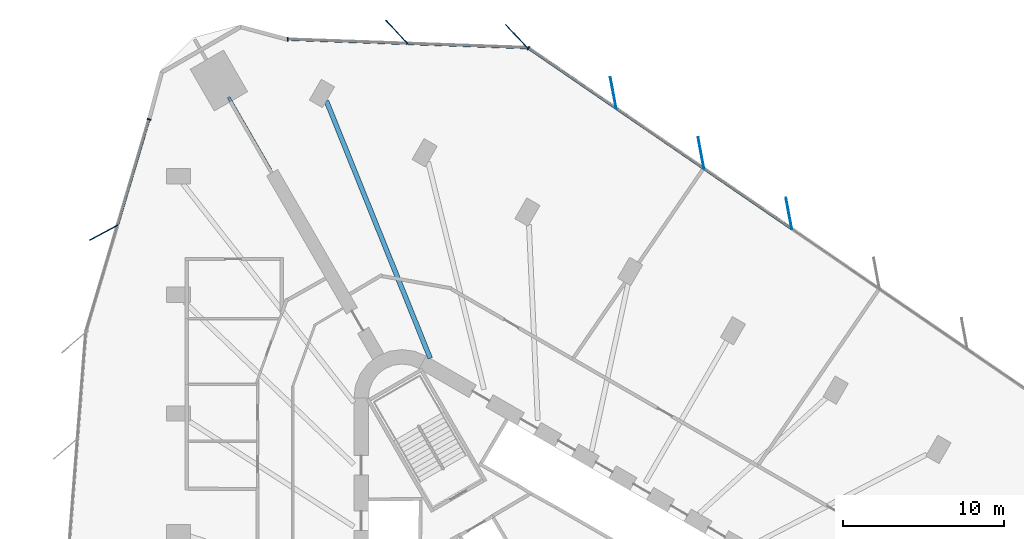
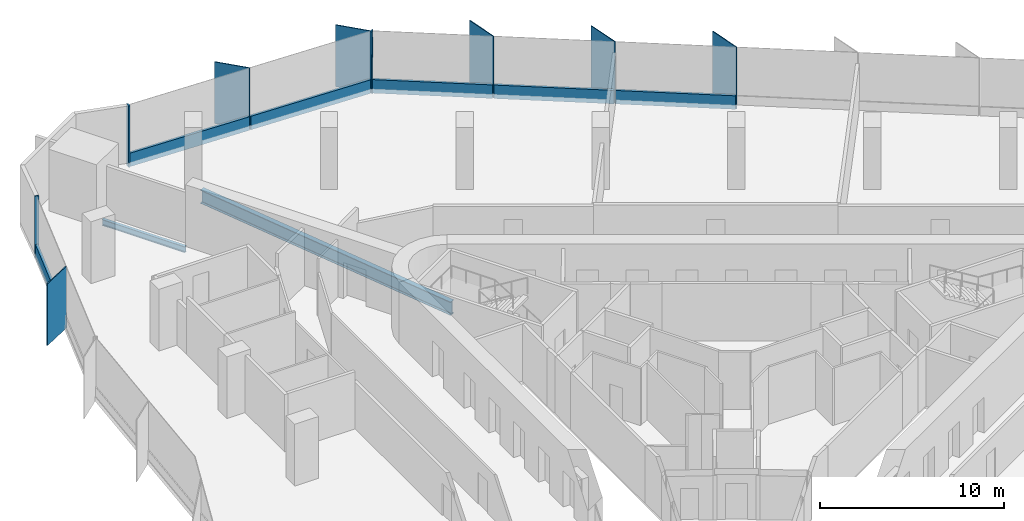
# One storey, part 7 of 15: 15 members, 2 beams, 3 elements without a shape of their own.
"""IFC4 building model written with IfcOpenShell, lengths in metres."""

from ifc_helpers import new_model, si_unit, direction, frame, origin, origin_2d, place, context, subcontext, project, spatial, rectangle, i_section, extrude, material, material_profile, profile_set, type_object, element, aggregate, save


model = new_model("IFC4")

# Units and contexts
model_context = context("Model", 3, precision=1e-05, world=origin(), true_north=direction((0.0, 1.0)))
body_context = subcontext(model_context, "Body", "Model", "MODEL_VIEW")
ifc_project = project(units=[si_unit("LENGTHUNIT", "METRE"), si_unit("AREAUNIT", "SQUARE_METRE"), si_unit("VOLUMEUNIT", "CUBIC_METRE"), si_unit("PLANEANGLEUNIT", "RADIAN"), si_unit("MASSUNIT", "GRAM", prefix="KILO")], contexts=[model_context])

# Site, building, storey
site_placement = place(None, origin())
site = spatial("IfcSite", under=ifc_project, at=site_placement, CompositionType="ELEMENT")
building_placement = place(site_placement, origin())
building = spatial("IfcBuilding", under=site, at=building_placement, Name="Tanit Gate Tower", CompositionType="ELEMENT")
storey_placement = place(building_placement, frame((0.0, 0.0, 94.699951171875)))
storey = spatial("IfcBuildingStorey", under=building, at=storey_placement, Name="L19", CompositionType="ELEMENT", Elevation=94.699951171875)

# Curtain wall, members
ifc_material_1 = material(Name="Aluminium bronze anodised and glass", Category="aluminium")
curtain_wall_type = type_object("IfcCurtainWallType", Name="Curtain wall typical low", PredefinedType="NOTDEFINED", material=ifc_material_1)
curtain_wall_1_placement = place(storey_placement, origin())
curtain_wall_1 = element("IfcCurtainWall", 1, at=curtain_wall_1_placement, inside=storey, type_object=curtain_wall_type, Name="Curtain wall L19 NE2", PredefinedType="NOTDEFINED")
ifc_material_2 = material(Name="Aluminium bronze anodised", Category="aluminium")
ifc_material_profile_1 = material_profile(ifc_material_2, rectangle(XDim=2.0, YDim=0.055908203125, at=origin_2d()), Name="56x2000 bronze fin mullion")
ifc_profile_set_1 = profile_set([ifc_material_profile_1], Name="Aluminium bronze anodised")
member_type_1 = type_object("IfcMemberType", Name="FIN MULLION 56x2000 bronze", PredefinedType="MULLION", material=ifc_profile_set_1)
member_1_placement = place(storey_placement, frame((14.99658203125, 27.24169921875, -0.300048828125), z_axis=(0.0, 0.0, 1.0), x_axis=(0.182847499991, -0.983141287785, 0.0)))
member_1 = element("IfcMember", 2, at=member_1_placement, type_object=member_type_1, Name="Fin mullion L19 NE2.4", PredefinedType="MULLION", context=body_context, shape_type="SweptSolid", body=[
    extrude(rectangle(XDim=2.0, YDim=0.055908203125, at=origin_2d()), origin(), (0.0, 0.0, 1.0), 4.10009765625),
])
member_2_placement = place(storey_placement, frame((9.527099609375, 30.99560546875, -0.300048828125), z_axis=(0.0, 0.0, 1.0), x_axis=(0.182847499991, -0.983141287785, 0.0)))
member_2 = element("IfcMember", 3, at=member_2_placement, type_object=member_type_1, Name="Fin mullion L19 NE2.5", PredefinedType="MULLION", context=body_context, shape_type="SweptSolid", body=[
    extrude(rectangle(XDim=2.0, YDim=0.055908203125, at=origin_2d()), origin(), (0.0, 0.0, 1.0), 4.10009765625),
])
member_3_placement = place(storey_placement, frame((4.057861328125, 34.74951171875, -0.300048828125), z_axis=(0.0, 0.0, 1.0), x_axis=(0.182847499991, -0.983141287785, 0.0)))
member_3 = element("IfcMember", 4, at=member_3_placement, type_object=member_type_1, Name="Fin mullion L19 NE2.6", PredefinedType="MULLION", context=body_context, shape_type="SweptSolid", body=[
    extrude(rectangle(XDim=2.0, YDim=0.055908203125, at=origin_2d()), origin(), (0.0, 0.0, 1.0), 4.10009765625),
])

curtain_wall_2_placement = place(storey_placement, origin())
curtain_wall_2 = element("IfcCurtainWall", 5, at=curtain_wall_2_placement, inside=storey, type_object=curtain_wall_type, Name="Curtain wall L19 NE3", PredefinedType="NOTDEFINED")
member_4_placement = place(storey_placement, frame((-1.97216796875, 38.281494140625, -0.300048828125), z_axis=(0.0, 0.0, 1.0), x_axis=(0.681935524465, -0.731412291715, 0.0)))
member_4 = element("IfcMember", 6, at=member_4_placement, type_object=member_type_1, Name="Fin mullion L19 NE3.1", PredefinedType="MULLION", context=body_context, shape_type="SweptSolid", body=[
    extrude(rectangle(XDim=2.0, YDim=0.055908203125, at=origin_2d()), origin(), (0.0, 0.0, 1.0), 4.10009765625),
])
member_5_placement = place(storey_placement, frame((-9.430908203125, 38.54248046875, -0.300048828125), z_axis=(0.0, 0.0, 1.0), x_axis=(0.681935524465, -0.731412291715, 0.0)))
member_5 = element("IfcMember", 7, at=member_5_placement, type_object=member_type_1, Name="Fin mullion L19 NE3.2", PredefinedType="MULLION", context=body_context, shape_type="SweptSolid", body=[
    extrude(rectangle(XDim=2.0, YDim=0.055908203125, at=origin_2d()), origin(), (0.0, 0.0, 1.0), 4.10009765625),
])

# Curtain wall, member
curtain_wall_3_placement = place(storey_placement, origin())
curtain_wall_3 = element("IfcCurtainWall", 8, at=curtain_wall_3_placement, inside=storey, type_object=curtain_wall_type, Name="Curtain wall L19 W1", PredefinedType="NOTDEFINED")
member_6_placement = place(storey_placement, frame((-27.683349609375, 26.046142578125, -0.300048828125), z_axis=(0.0, 0.0, 1.0), x_axis=(0.879325041562, 0.476222081893, 0.0)))
member_6 = element("IfcMember", 9, at=member_6_placement, type_object=member_type_1, Name="Fin mullion L19 W1.2", PredefinedType="MULLION", context=body_context, shape_type="SweptSolid", body=[
    extrude(rectangle(XDim=2.0, YDim=0.055908203125, at=origin_2d()), origin(), (0.0, 0.0, 1.0), 4.10009765625),
])

# Member
ifc_material_3 = material(Name="Aluminium bronze anodised", Category="aluminium")
ifc_material_profile_2 = material_profile(ifc_material_3, rectangle(XDim=0.239990234375, YDim=0.080078125, at=origin_2d()), Name="80x240 bronze mullion")
ifc_profile_set_2 = profile_set([ifc_material_profile_2], Name="Aluminium bronze anodised")
member_type_2 = type_object("IfcMemberType", Name="Mullion 80x240 typical low", PredefinedType="MULLION", material=ifc_profile_set_2)
member_7_placement = place(storey_placement, frame((-1.232666015625, 37.54248046875, -0.300048828125), z_axis=(0.0, 0.0, 1.0), x_axis=(-0.56589316429, -0.824478578624, 0.0)))
member_7 = element("IfcMember", 10, at=member_7_placement, type_object=member_type_2, Name="Mullion L19 NE2.7", PredefinedType="MULLION", context=body_context, shape_type="SweptSolid", body=[
    extrude(rectangle(XDim=0.239990234375, YDim=0.080078125, at=origin_2d()), origin(), (0.0, 0.0, 1.0), 4.10009765625),
])

member_8_placement = place(storey_placement, frame((-16.22314453125, 38.0888671875, -0.300048828125), z_axis=(0.0, 0.0, 1.0), x_axis=(-0.034985357634, -0.999387824997, 0.0)))
member_8 = element("IfcMember", 11, at=member_8_placement, type_object=member_type_2, Name="Mullion L19 NE3.3", PredefinedType="MULLION", context=body_context, shape_type="SweptSolid", body=[
    extrude(rectangle(XDim=0.239990234375, YDim=0.080078125, at=origin_2d()), origin(), (0.0, 0.0, 1.0), 4.10009765625),
])

member_9_placement = place(storey_placement, frame((-24.86376953125, 33.1025390625, -0.300048828125), z_axis=(0.0, 0.0, 1.0), x_axis=(0.958516563213, -0.285036836298, 0.0)))
member_9 = element("IfcMember", 12, at=member_9_placement, type_object=member_type_2, Name="Mullion L19 W1.1", PredefinedType="MULLION", context=body_context, shape_type="SweptSolid", body=[
    extrude(rectangle(XDim=0.239990234375, YDim=0.080078125, at=origin_2d()), origin(), (0.0, 0.0, 1.0), 4.10009765625),
])

# Beams
ifc_material_4 = material(Name="Steel S355", Category="steel")
ifc_material_profile_3 = material_profile(ifc_material_4, i_section(OverallWidth=0.300048828125, OverallDepth=0.889892578125, WebThickness=0.01611328125, FlangeThickness=0.030029296875, FilletRadius=0.030029296875, at=origin_2d()), Name="HEA 900")
ifc_profile_set_3 = profile_set([ifc_material_profile_3], Name="Steel S355")
beam_type_1 = type_object("IfcBeamType", Name="RADIAL GIRDER HEA 900 S355", PredefinedType="BEAM", material=ifc_profile_set_3)
beam_1_placement = place(storey_placement, frame((-13.815673828125, 34.251953125, -0.744873046875), z_axis=(0.374069410217, -0.927400709693, 0.0), x_axis=(0.927400709693, 0.374069410217, 0.0)))
element("IfcBeam", 13, at=beam_1_placement, inside=storey, type_object=beam_type_1, Name="RADIAL GIRDER", PredefinedType="BEAM", context=body_context, shape_type="SweptSolid", body=[
    extrude(i_section(OverallWidth=0.300048828125, OverallDepth=0.889892578125, WebThickness=0.01611328125, FlangeThickness=0.030029296875, FilletRadius=0.030029296875, at=origin_2d()), origin(), (0.0, 0.0, 1.0), 17.291015625),
])
ifc_material_5 = material(Name="Steel S355", Category="steel")
ifc_material_profile_4 = material_profile(ifc_material_5, i_section(OverallWidth=0.179931640625, OverallDepth=0.39990234375, WebThickness=0.008544921875, FlangeThickness=0.013427734375, FilletRadius=0.02099609375, at=origin_2d()), Name="IPE 400")
ifc_profile_set_4 = profile_set([ifc_material_profile_4], Name="Steel S355")
beam_type_2 = type_object("IfcBeamType", Name="RADIAL GIRDER IPE 400 S355", PredefinedType="BEAM", material=ifc_profile_set_4)
beam_2_placement = place(storey_placement, frame((-19.9091796875, 34.483642578125, -0.5), z_axis=(0.500022437694, -0.866012448988, 0.0), x_axis=(0.866012448988, 0.500022437694, 0.0)))
element("IfcBeam", 14, at=beam_2_placement, inside=storey, type_object=beam_type_2, Name="RADIAL GIRDER", PredefinedType="BEAM", context=body_context, shape_type="SweptSolid", body=[
    extrude(i_section(OverallWidth=0.179931640625, OverallDepth=0.39990234375, WebThickness=0.008544921875, FlangeThickness=0.013427734375, FilletRadius=0.02099609375, at=origin_2d()), origin(), (0.0, 0.0, 1.0), 5.213134765625),
])

# Member
ifc_material_6 = material(Name="Aluminium bronze anodised", Category="aluminium")
ifc_material_profile_5 = material_profile(ifc_material_6, rectangle(XDim=0.159912109375, YDim=0.89990234375, at=origin_2d()), Name="160x900 bronze transom")
ifc_profile_set_5 = profile_set([ifc_material_profile_5], Name="Aluminium bronze anodised")
member_type_3 = type_object("IfcMemberType", Name="Transom 160x900 typical low", PredefinedType="USERDEFINED", material=ifc_profile_set_5)
member_10_placement = place(storey_placement, frame((15.142333984375, 26.303466796875, 0.150146484375), z_axis=(-0.824484045069, 0.565885199866, 0.0), x_axis=(-0.565885199866, -0.824484045069, 0.0)))
member_10 = element("IfcMember", 15, at=member_10_placement, type_object=member_type_3, Name="Transom L19 NE2.4", ObjectType="TRANSOM", PredefinedType="USERDEFINED", context=body_context, shape_type="SweptSolid", body=[
    extrude(rectangle(XDim=0.159912109375, YDim=0.89990234375, at=origin_2d()), origin(), (0.0, 0.0, 1.0), 6.553955078125),
])

member_11_placement = place(storey_placement, frame((9.6728515625, 30.057373046875, 0.150146484375), z_axis=(-0.824472115667, 0.565902580386, 0.0), x_axis=(-0.565902580386, -0.824472115667, 0.0)))
member_11 = element("IfcMember", 16, at=member_11_placement, type_object=member_type_3, Name="Transom L19 NE2.5", ObjectType="TRANSOM", PredefinedType="USERDEFINED", context=body_context, shape_type="SweptSolid", body=[
    extrude(rectangle(XDim=0.159912109375, YDim=0.89990234375, at=origin_2d()), origin(), (0.0, 0.0, 1.0), 6.5537109375),
])

member_12_placement = place(storey_placement, frame((4.20361328125, 33.811279296875, 0.150146484375), z_axis=(-0.824472115667, 0.565902580386, 0.0), x_axis=(-0.565902580386, -0.824472115667, 0.0)))
member_12 = element("IfcMember", 17, at=member_12_placement, type_object=member_type_3, Name="Transom L19 NE2.6", ObjectType="TRANSOM", PredefinedType="USERDEFINED", context=body_context, shape_type="SweptSolid", body=[
    extrude(rectangle(XDim=0.159912109375, YDim=0.89990234375, at=origin_2d()), origin(), (0.0, 0.0, 1.0), 6.5537109375),
])

aggregate(curtain_wall_1, [member_1, member_2, member_3, member_7, member_10, member_11, member_12])

member_13_placement = place(storey_placement, frame((-1.345703125, 37.568115234375, 0.150146484375), z_axis=(-0.999387836733, 0.034985022376, 0.0), x_axis=(-0.034985022376, -0.999387836733, 0.0)))
member_13 = element("IfcMember", 18, at=member_13_placement, type_object=member_type_3, Name="Transom L19 NE3.1", ObjectType="TRANSOM", PredefinedType="USERDEFINED", context=body_context, shape_type="SweptSolid", body=[
    extrude(rectangle(XDim=0.159912109375, YDim=0.89990234375, at=origin_2d()), origin(), (0.0, 0.0, 1.0), 7.38330078125),
])

member_14_placement = place(storey_placement, frame((-8.804443359375, 37.8291015625, 0.150146484375), z_axis=(-0.999387836733, 0.034985022376, 0.0), x_axis=(-0.034985022376, -0.999387836733, 0.0)))
member_14 = element("IfcMember", 19, at=member_14_placement, type_object=member_type_3, Name="Transom L19 NE3.2", ObjectType="TRANSOM", PredefinedType="USERDEFINED", context=body_context, shape_type="SweptSolid", body=[
    extrude(rectangle(XDim=0.159912109375, YDim=0.89990234375, at=origin_2d()), origin(), (0.0, 0.0, 1.0), 7.38330078125),
])

aggregate(curtain_wall_2, [member_4, member_5, member_8, member_13, member_14])

member_15_placement = place(storey_placement, frame((-24.875244140625, 33.064208984375, 0.150146484375), z_axis=(-0.285053228676, -0.958511688411, 0.0), x_axis=(0.958511688411, -0.285053228676, 0.0)))
member_15 = element("IfcMember", 20, at=member_15_placement, type_object=member_type_3, Name="Transom L19 W1.1", ObjectType="TRANSOM", PredefinedType="USERDEFINED", context=body_context, shape_type="SweptSolid", body=[
    extrude(rectangle(XDim=0.159912109375, YDim=0.89990234375, at=origin_2d()), origin(), (0.0, 0.0, 1.0), 6.796142578125),
])

aggregate(curtain_wall_3, [member_9, member_6, member_15])

save(model, "model.ifc")
